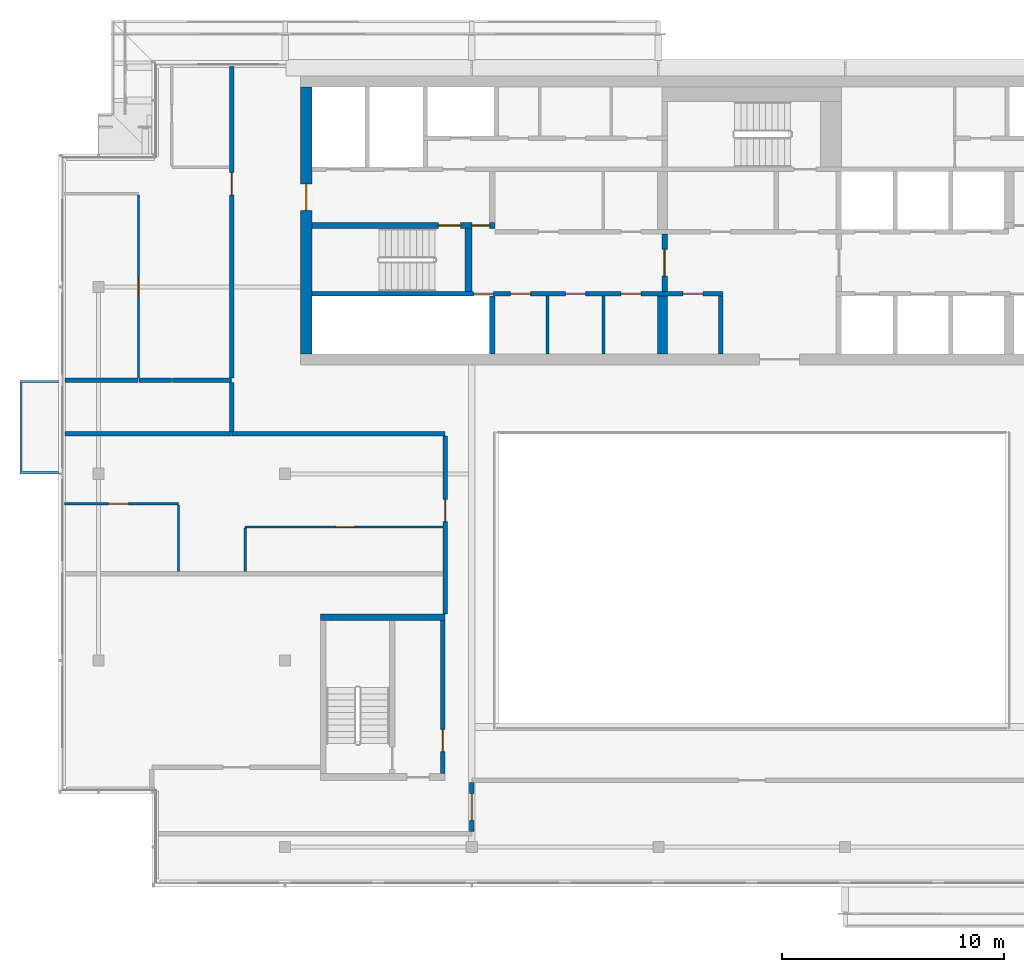
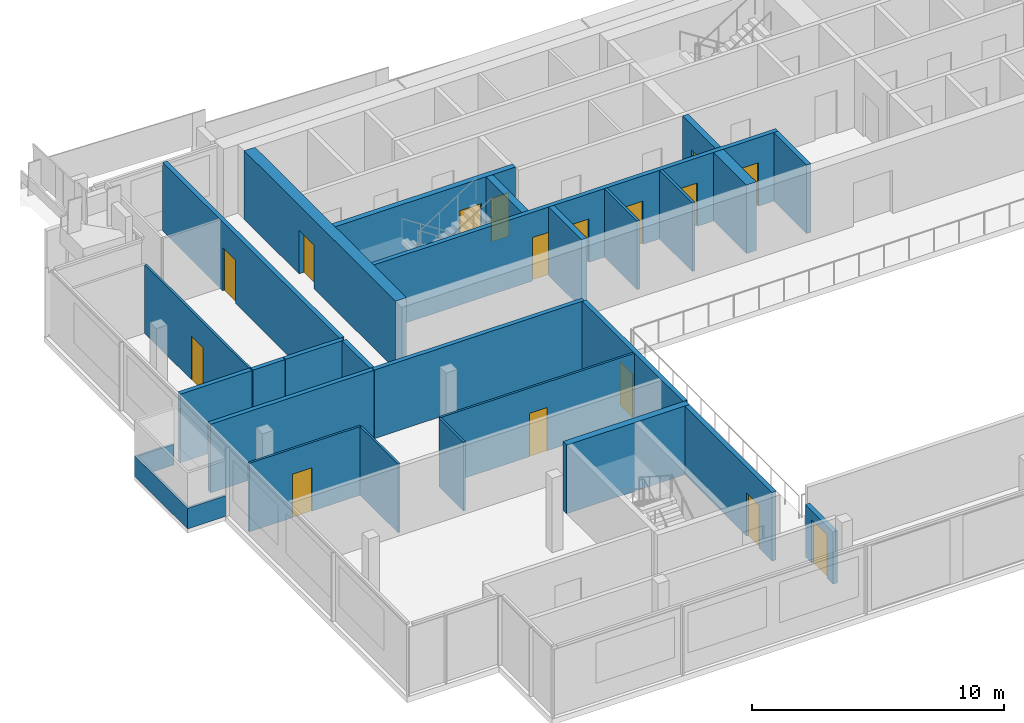
# One storey, part 11 of 21: 27 walls, 16 doors, 16 openings.
"""IFC4 building model written with IfcOpenShell, lengths in metres."""

from ifc_helpers import new_model, si_unit, direction, frame, frame_2d, origin, place, context, subcontext, project, spatial, polyline, rectangle, outline, extrude, material, layer, layer_set, type_object, element, fill, save


model = new_model("IFC4")

# Units and contexts
model_context = context("Model", 3, precision=1e-05, world=origin(), true_north=direction((0.0, 1.0)))
body_context = subcontext(model_context, "Body", "Model", "MODEL_VIEW")
ifc_project = project(units=[si_unit("LENGTHUNIT", "METRE"), si_unit("AREAUNIT", "SQUARE_METRE"), si_unit("VOLUMEUNIT", "CUBIC_METRE"), si_unit("PLANEANGLEUNIT", "RADIAN"), si_unit("MASSUNIT", "GRAM", prefix="KILO")], contexts=[model_context])

# Site, building, storey
site_placement = place(None, origin())
site = spatial("IfcSite", under=ifc_project, at=site_placement, CompositionType="ELEMENT")
building_placement = place(site_placement, origin())
building = spatial("IfcBuilding", under=site, at=building_placement, Name="Saffron Gate Tower", CompositionType="ELEMENT")
storey_placement = place(building_placement, frame((0.0, 0.0, 288.75)))
storey = spatial("IfcBuildingStorey", under=building, at=storey_placement, Name="L70", CompositionType="ELEMENT", Elevation=288.75)

# Wall
ifc_material_1 = material(Name="Gypsum board partition on steel studs", Category="steel")
ifc_layer_1 = layer(ifc_material_1, 0.199951171875)
ifc_layer_set_1 = layer_set([ifc_layer_1], Name="CW10 Core partition 200")
wall_type_1 = type_object("IfcWallType", Name="CW10 Core partition 200", PredefinedType="PARTITIONING", material=ifc_layer_set_1)
wall_1_placement = place(storey_placement, frame((86.199951171875, 62.39990234375, 0.0), z_axis=(0.0, 0.0, 1.0), x_axis=(0.0, 1.0, 0.0)))
element("IfcWall", 1, at=wall_1_placement, inside=storey, type_object=wall_type_1, Name="Wall CW10-L70-9", PredefinedType="PARTITIONING", context=body_context, shape_type="SweptSolid", body=[
    extrude(rectangle(XDim=2.60009765625, YDim=0.199951171875, at=frame_2d((1.300048828125, 0.0))), origin(), (0.0, 0.0, 1.0), 3.320068359375),
])

# Wall, opening, door
wall_2_placement = place(storey_placement, frame((73.699951171875, 43.5, 0.0), z_axis=(0.0, 0.0, 1.0), x_axis=(0.0, 1.0, 0.0)))
wall_2 = element("IfcWall", 2, at=wall_2_placement, inside=storey, type_object=wall_type_1, Name="Wall CW10-L70-D-4", PredefinedType="PARTITIONING", context=body_context, shape_type="SweptSolid", body=[
    extrude(rectangle(XDim=6.89990234375, YDim=0.199951171875, at=frame_2d((3.449951171875, 0.0))), origin(), (0.0, 0.0, 1.0), 3.320068359375),
])
opening_1_placement = place(wall_2_placement, frame((1.0, 0.0, 0.0)))
opening_1 = element("IfcOpeningElement", 3, at=opening_1_placement, cuts=wall_2, Name="Opening CR-19", PredefinedType="OPENING", context=body_context, shape_type="SweptSolid", body=[
    extrude(rectangle(XDim=1.0, YDim=2.10009765625, at=frame_2d((0.5, 1.050048828125))), frame((0.0, 0.10986328125, 0.0), z_axis=(0.0, -1.0, 0.0), x_axis=(1.0, 0.0, 0.0)), (0.0, 0.0, 1.0), 0.219970703125),
])
ifc_material_2 = material(Name="Steel fire door set", Category="steel")
door_type_1 = type_object("IfcDoorType", Name="CD4 Lobby door 1000x2100 EI 120", OperationType="NOTDEFINED", PredefinedType="DOOR", material=ifc_material_2)
door_1_placement = place(opening_1_placement, origin())
door_1 = element("IfcDoor", 4, at=door_1_placement, inside=storey, type_object=door_type_1, Name="DOOR CR-19", OperationType="SINGLE_SWING_RIGHT", OverallHeight=2.10009765625, OverallWidth=1.0, PredefinedType="DOOR", context=body_context, shape_type="SweptSolid", body=[
    extrude(rectangle(XDim=1.0, YDim=2.10009765625, at=frame_2d((0.5, 1.050048828125))), frame((0.0, 0.02490234375, 0.0), z_axis=(0.0, -1.0, 0.0), x_axis=(1.0, 0.0, 0.0)), (0.0, 0.0, 1.0), 0.050048828125),
])
fill(opening_1, door_1)

ifc_material_3 = material(Name="Concrete C50", Category="concrete")
ifc_layer_2 = layer(ifc_material_3, 0.5)
ifc_layer_set_2 = layer_set([ifc_layer_2], Name="CW22 RC core wall 500 C50")
wall_type_2 = type_object("IfcWallType", Name="CW22 RC core wall 500 C50", PredefinedType="SOLIDWALL", material=ifc_layer_set_2)
wall_3_placement = place(storey_placement, frame((67.550048828125, 62.39990234375, 0.0), z_axis=(0.0, 0.0, 1.0), x_axis=(0.0, 1.0, 0.0)))
wall_3 = element("IfcWall", 5, at=wall_3_placement, inside=storey, type_object=wall_type_2, Name="Wall CW22-L70-3", PredefinedType="SOLIDWALL", context=body_context, shape_type="SweptSolid", body=[
    extrude(rectangle(XDim=12.0, YDim=0.5, at=frame_2d((6.0, 0.0))), origin(), (0.0, 0.0, 1.0), 3.320068359375),
])
opening_2_placement = place(wall_3_placement, frame((6.449951171875, 0.0, 0.0)))
opening_2 = element("IfcOpeningElement", 6, at=opening_2_placement, cuts=wall_3, Name="Opening CR-10", PredefinedType="OPENING", context=body_context, shape_type="SweptSolid", body=[
    extrude(rectangle(XDim=1.199951171875, YDim=2.10009765625, at=frame_2d((0.60009765625, 1.050048828125))), frame((0.0, 0.260009765625, 0.0), z_axis=(0.0, -1.0, 0.0), x_axis=(1.0, 0.0, 0.0)), (0.0, 0.0, 1.0), 0.52001953125),
])
door_type_2 = type_object("IfcDoorType", Name="CD7 Core entrance door 1200x2100 EI 120", OperationType="NOTDEFINED", PredefinedType="DOOR", material=ifc_material_2)
door_2_placement = place(opening_2_placement, origin())
door_2 = element("IfcDoor", 7, at=door_2_placement, inside=storey, type_object=door_type_2, Name="DOOR CR-10", OperationType="SINGLE_SWING_LEFT", OverallHeight=2.10009765625, OverallWidth=1.199951171875, PredefinedType="DOOR", context=body_context, shape_type="SweptSolid", body=[
    extrude(rectangle(XDim=1.199951171875, YDim=2.10009765625, at=frame_2d((0.60009765625, 1.050048828125))), frame((0.0, 0.02490234375, 0.0), z_axis=(0.0, -1.0, 0.0), x_axis=(1.0, 0.0, 0.0)), (0.0, 0.0, 1.0), 0.050048828125),
])
fill(opening_2, door_2)

# Wall
ifc_layer_3 = layer(ifc_material_3, 0.25)
ifc_layer_set_3 = layer_set([ifc_layer_3], Name="CW23 RC core wall 250 C50")
wall_type_3 = type_object("IfcWallType", Name="CW23 RC core wall 250 C50", PredefinedType="SOLIDWALL", material=ifc_layer_set_3)
wall_4_placement = place(storey_placement, frame((75.925048828125, 62.39990234375, 0.0), z_axis=(0.0, 0.0, 1.0), x_axis=(0.0, 1.0, 0.0)))
element("IfcWall", 8, at=wall_4_placement, inside=storey, type_object=wall_type_3, Name="Wall CW23-L70-5", PredefinedType="SOLIDWALL", context=body_context, shape_type="SweptSolid", body=[
    extrude(rectangle(XDim=2.60009765625, YDim=0.25, at=frame_2d((1.300048828125, 0.0))), origin(), (0.0, 0.0, 1.0), 3.320068359375),
])

# Wall, opening, door
wall_5_placement = place(storey_placement, frame((83.675048828125, 65.199951171875, 0.0), z_axis=(0.0, 0.0, 1.0), x_axis=(0.0, 1.0, 0.0)))
wall_5 = element("IfcWall", 9, at=wall_5_placement, inside=storey, type_object=wall_type_3, Name="Wall CW23-L70-17", PredefinedType="SOLIDWALL", context=body_context, shape_type="SweptSolid", body=[
    extrude(rectangle(XDim=2.60009765625, YDim=0.25, at=frame_2d((1.300048828125, 0.0))), origin(), (0.0, 0.0, 1.0), 3.320068359375),
])
opening_3_placement = place(wall_5_placement, frame((0.699951171875, 0.0, 0.0)))
opening_3 = element("IfcOpeningElement", 10, at=opening_3_placement, cuts=wall_5, Name="Opening CR-07", PredefinedType="OPENING", context=body_context, shape_type="SweptSolid", body=[
    extrude(rectangle(XDim=1.199951171875, YDim=2.10009765625, at=frame_2d((0.60009765625, 1.050048828125))), frame((0.0, 0.135009765625, 0.0), z_axis=(0.0, -1.0, 0.0), x_axis=(1.0, 0.0, 0.0)), (0.0, 0.0, 1.0), 0.27001953125),
])
door_type_3 = type_object("IfcDoorType", Name="CD3 Lobby door 1200x2100 EI 120", OperationType="NOTDEFINED", PredefinedType="DOOR", material=ifc_material_2)
door_3_placement = place(opening_3_placement, origin())
door_3 = element("IfcDoor", 11, at=door_3_placement, inside=storey, type_object=door_type_3, Name="DOOR CR-07", OperationType="SINGLE_SWING_RIGHT", OverallHeight=2.10009765625, OverallWidth=1.199951171875, PredefinedType="DOOR", context=body_context, shape_type="SweptSolid", body=[
    extrude(rectangle(XDim=1.199951171875, YDim=2.10009765625, at=frame_2d((0.60009765625, 1.050048828125))), frame((0.0, 0.02490234375, 0.0), z_axis=(0.0, -1.0, 0.0), x_axis=(1.0, 0.0, 0.0)), (0.0, 0.0, 1.0), 0.050048828125),
])
fill(opening_3, door_3)

# Wall, openings, doors
wall_6_placement = place(storey_placement, frame((67.800048828125, 68.175048828125, 0.0), z_axis=(0.0, 0.0, 1.0), x_axis=(1.0, 0.0, 0.0)))
wall_6 = element("IfcWall", 12, at=wall_6_placement, inside=storey, type_object=wall_type_3, Name="Wall CW23-L70-28", PredefinedType="SOLIDWALL", context=body_context, shape_type="SweptSolid", body=[
    extrude(rectangle(XDim=8.25, YDim=0.25, at=frame_2d((4.125, 0.0))), origin(), (0.0, 0.0, 1.0), 3.320068359375),
])
opening_4_placement = place(wall_6_placement, frame((5.699951171875, 0.0, 0.0)))
opening_4 = element("IfcOpeningElement", 13, at=opening_4_placement, cuts=wall_6, Name="Opening CR-15", PredefinedType="OPENING", context=body_context, shape_type="SweptSolid", body=[
    extrude(rectangle(XDim=1.0, YDim=2.10009765625, at=frame_2d((0.5, 1.050048828125))), frame((0.0, 0.135009765625, 0.0), z_axis=(0.0, -1.0, 0.0), x_axis=(1.0, 0.0, 0.0)), (0.0, 0.0, 1.0), 0.27001953125),
])
opening_5_placement = place(wall_6_placement, frame((7.199951171875, 0.0, 0.0)))
opening_5 = element("IfcOpeningElement", 14, at=opening_5_placement, cuts=wall_6, Name="Opening CR-06", PredefinedType="OPENING", context=body_context, shape_type="SweptSolid", body=[
    extrude(rectangle(XDim=0.800048828125, YDim=2.10009765625, at=frame_2d((0.39990234375, 1.050048828125))), frame((0.0, 0.135009765625, 0.0), z_axis=(0.0, -1.0, 0.0), x_axis=(1.0, 0.0, 0.0)), (0.0, 0.0, 1.0), 0.27001953125),
])
door_type_4 = type_object("IfcDoorType", Name="CD5 Stair door 1000x2100 EI 120", OperationType="NOTDEFINED", PredefinedType="DOOR", material=ifc_material_2)
door_4_placement = place(opening_4_placement, origin())
door_4 = element("IfcDoor", 15, at=door_4_placement, inside=storey, type_object=door_type_4, Name="DOOR CR-15", OperationType="SINGLE_SWING_RIGHT", OverallHeight=2.10009765625, OverallWidth=1.0, PredefinedType="DOOR", context=body_context, shape_type="SweptSolid", body=[
    extrude(rectangle(XDim=1.0, YDim=2.10009765625, at=frame_2d((0.5, 1.050048828125))), frame((0.0, 0.02490234375, 0.0), z_axis=(0.0, -1.0, 0.0), x_axis=(1.0, 0.0, 0.0)), (0.0, 0.0, 1.0), 0.050048828125),
])
fill(opening_4, door_4)
door_type_5 = type_object("IfcDoorType", Name="CD6 Lobby door 800x2100 EI 120", OperationType="NOTDEFINED", PredefinedType="DOOR", material=ifc_material_2)
door_5_placement = place(opening_5_placement, origin())
door_5 = element("IfcDoor", 16, at=door_5_placement, inside=storey, type_object=door_type_5, Name="DOOR CR-06", OperationType="SINGLE_SWING_LEFT", OverallHeight=2.10009765625, OverallWidth=0.800048828125, PredefinedType="DOOR", context=body_context, shape_type="SweptSolid", body=[
    extrude(rectangle(XDim=0.800048828125, YDim=2.10009765625, at=frame_2d((0.39990234375, 1.050048828125))), frame((0.0, 0.02490234375, 0.0), z_axis=(0.0, -1.0, 0.0), x_axis=(1.0, 0.0, 0.0)), (0.0, 0.0, 1.0), 0.050048828125),
])
fill(opening_5, door_5)

# Wall
ifc_layer_4 = layer(ifc_material_3, 0.449951171875)
ifc_layer_set_4 = layer_set([ifc_layer_4], Name="CW24 RC core wall 450 C50")
wall_type_4 = type_object("IfcWallType", Name="CW24 RC core wall 450 C50", PredefinedType="SOLIDWALL", material=ifc_layer_set_4)
wall_7_placement = place(storey_placement, frame((83.574951171875, 62.39990234375, 0.0), z_axis=(0.0, 0.0, 1.0), x_axis=(0.0, 1.0, 0.0)))
element("IfcWall", 17, at=wall_7_placement, inside=storey, type_object=wall_type_4, Name="Wall CW24-L70-8", PredefinedType="SOLIDWALL", context=body_context, shape_type="SweptSolid", body=[
    extrude(rectangle(XDim=2.60009765625, YDim=0.449951171875, at=frame_2d((1.300048828125, 0.0))), origin(), (0.0, 0.0, 1.0), 3.320068359375),
])

# Wall, openings, doors
ifc_layer_5 = layer(ifc_material_3, 0.199951171875)
ifc_layer_set_5 = layer_set([ifc_layer_5], Name="CW25 RC core wall 200 C50")
wall_type_5 = type_object("IfcWallType", Name="CW25 RC core wall 200 C50", PredefinedType="SOLIDWALL", material=ifc_layer_set_5)
wall_8_placement = place(storey_placement, frame((67.800048828125, 65.10009765625, 0.0), z_axis=(0.0, 0.0, 1.0), x_axis=(1.0, 0.0, 0.0)))
wall_8 = element("IfcWall", 18, at=wall_8_placement, inside=storey, type_object=wall_type_5, Name="Wall CW25-L70-14", PredefinedType="SOLIDWALL", context=body_context, shape_type="SweptSolid", body=[
    extrude(rectangle(XDim=18.5, YDim=0.199951171875, at=frame_2d((9.25, 0.0))), origin(), (0.0, 0.0, 1.0), 3.320068359375),
])
opening_6_placement = place(wall_8_placement, frame((7.27001953125, 0.0, 0.0)))
opening_6 = element("IfcOpeningElement", 19, at=opening_6_placement, cuts=wall_8, Name="Opening CR-49", PredefinedType="OPENING", context=body_context, shape_type="SweptSolid", body=[
    extrude(rectangle(XDim=0.89990234375, YDim=2.10009765625, at=frame_2d((0.449951171875, 1.050048828125))), frame((0.0, 0.10986328125, 0.0), z_axis=(0.0, -1.0, 0.0), x_axis=(1.0, 0.0, 0.0)), (0.0, 0.0, 1.0), 0.219970703125),
])
opening_7_placement = place(wall_8_placement, frame((8.949951171875, 0.0, 0.0)))
opening_7 = element("IfcOpeningElement", 20, at=opening_7_placement, cuts=wall_8, Name="Opening CR-64", PredefinedType="OPENING", context=body_context, shape_type="SweptSolid", body=[
    extrude(rectangle(XDim=0.89990234375, YDim=2.10009765625, at=frame_2d((0.449951171875, 1.050048828125))), frame((0.0, 0.10986328125, 0.0), z_axis=(0.0, -1.0, 0.0), x_axis=(1.0, 0.0, 0.0)), (0.0, 0.0, 1.0), 0.219970703125),
])
opening_8_placement = place(wall_8_placement, frame((11.419921875, 0.0, 0.0)))
opening_8 = element("IfcOpeningElement", 21, at=opening_8_placement, cuts=wall_8, Name="Opening CR-65", PredefinedType="OPENING", context=body_context, shape_type="SweptSolid", body=[
    extrude(rectangle(XDim=0.89990234375, YDim=2.10009765625, at=frame_2d((0.449951171875, 1.050048828125))), frame((0.0, 0.10986328125, 0.0), z_axis=(0.0, -1.0, 0.0), x_axis=(1.0, 0.0, 0.0)), (0.0, 0.0, 1.0), 0.219970703125),
])
opening_9_placement = place(wall_8_placement, frame((13.919921875, 0.0, 0.0)))
opening_9 = element("IfcOpeningElement", 22, at=opening_9_placement, cuts=wall_8, Name="Opening CR-66", PredefinedType="OPENING", context=body_context, shape_type="SweptSolid", body=[
    extrude(rectangle(XDim=0.89990234375, YDim=2.10009765625, at=frame_2d((0.449951171875, 1.050048828125))), frame((0.0, 0.10986328125, 0.0), z_axis=(0.0, -1.0, 0.0), x_axis=(1.0, 0.0, 0.0)), (0.0, 0.0, 1.0), 0.219970703125),
])
opening_10_placement = place(wall_8_placement, frame((16.699951171875, 0.0, 0.0)))
opening_10 = element("IfcOpeningElement", 23, at=opening_10_placement, cuts=wall_8, Name="Opening CR-69", PredefinedType="OPENING", context=body_context, shape_type="SweptSolid", body=[
    extrude(rectangle(XDim=0.89990234375, YDim=2.10009765625, at=frame_2d((0.449951171875, 1.050048828125))), frame((0.0, 0.10986328125, 0.0), z_axis=(0.0, -1.0, 0.0), x_axis=(1.0, 0.0, 0.0)), (0.0, 0.0, 1.0), 0.219970703125),
])
door_type_6 = type_object("IfcDoorType", Name="CD2 Riser door 900x2100 EI 60", OperationType="NOTDEFINED", PredefinedType="DOOR", material=ifc_material_2)
door_6_placement = place(opening_6_placement, origin())
door_6 = element("IfcDoor", 24, at=door_6_placement, inside=storey, type_object=door_type_6, Name="DOOR CR-49", OperationType="SINGLE_SWING_LEFT", OverallHeight=2.10009765625, OverallWidth=0.89990234375, PredefinedType="DOOR", context=body_context, shape_type="SweptSolid", body=[
    extrude(rectangle(XDim=0.89990234375, YDim=2.10009765625, at=frame_2d((0.449951171875, 1.050048828125))), frame((0.0, 0.02490234375, 0.0), z_axis=(0.0, -1.0, 0.0), x_axis=(1.0, 0.0, 0.0)), (0.0, 0.0, 1.0), 0.050048828125),
])
fill(opening_6, door_6)
door_type_7 = type_object("IfcDoorType", Name="CD9 Room door 900x2100 EI 60", OperationType="NOTDEFINED", PredefinedType="DOOR", material=ifc_material_2)
door_7_placement = place(opening_7_placement, origin())
door_7 = element("IfcDoor", 25, at=door_7_placement, inside=storey, type_object=door_type_7, Name="DOOR CR-64", OperationType="SINGLE_SWING_RIGHT", OverallHeight=2.10009765625, OverallWidth=0.89990234375, PredefinedType="DOOR", context=body_context, shape_type="SweptSolid", body=[
    extrude(rectangle(XDim=0.89990234375, YDim=2.10009765625, at=frame_2d((0.449951171875, 1.050048828125))), frame((0.0, 0.02490234375, 0.0), z_axis=(0.0, -1.0, 0.0), x_axis=(1.0, 0.0, 0.0)), (0.0, 0.0, 1.0), 0.050048828125),
])
fill(opening_7, door_7)
door_8_placement = place(opening_8_placement, origin())
door_8 = element("IfcDoor", 26, at=door_8_placement, inside=storey, type_object=door_type_7, Name="DOOR CR-65", OperationType="SINGLE_SWING_RIGHT", OverallHeight=2.10009765625, OverallWidth=0.89990234375, PredefinedType="DOOR", context=body_context, shape_type="SweptSolid", body=[
    extrude(rectangle(XDim=0.89990234375, YDim=2.10009765625, at=frame_2d((0.449951171875, 1.050048828125))), frame((0.0, 0.02490234375, 0.0), z_axis=(0.0, -1.0, 0.0), x_axis=(1.0, 0.0, 0.0)), (0.0, 0.0, 1.0), 0.050048828125),
])
fill(opening_8, door_8)
door_9_placement = place(opening_9_placement, origin())
door_9 = element("IfcDoor", 27, at=door_9_placement, inside=storey, type_object=door_type_7, Name="DOOR CR-66", OperationType="SINGLE_SWING_RIGHT", OverallHeight=2.10009765625, OverallWidth=0.89990234375, PredefinedType="DOOR", context=body_context, shape_type="SweptSolid", body=[
    extrude(rectangle(XDim=0.89990234375, YDim=2.10009765625, at=frame_2d((0.449951171875, 1.050048828125))), frame((0.0, 0.02490234375, 0.0), z_axis=(0.0, -1.0, 0.0), x_axis=(1.0, 0.0, 0.0)), (0.0, 0.0, 1.0), 0.050048828125),
])
fill(opening_9, door_9)
door_10_placement = place(opening_10_placement, origin())
door_10 = element("IfcDoor", 28, at=door_10_placement, inside=storey, type_object=door_type_7, Name="DOOR CR-69", OperationType="SINGLE_SWING_RIGHT", OverallHeight=2.10009765625, OverallWidth=0.89990234375, PredefinedType="DOOR", context=body_context, shape_type="SweptSolid", body=[
    extrude(rectangle(XDim=0.89990234375, YDim=2.10009765625, at=frame_2d((0.449951171875, 1.050048828125))), frame((0.0, 0.02490234375, 0.0), z_axis=(0.0, -1.0, 0.0), x_axis=(1.0, 0.0, 0.0)), (0.0, 0.0, 1.0), 0.050048828125),
])
fill(opening_10, door_10)

# Walls
ifc_layer_6 = layer(ifc_material_3, 0.300048828125)
ifc_layer_set_6 = layer_set([ifc_layer_6], Name="CW26 RC core wall 300 C50")
wall_type_6 = type_object("IfcWallType", Name="CW26 RC core wall 300 C50", PredefinedType="SOLIDWALL", material=ifc_layer_set_6)
wall_9_placement = place(storey_placement, frame((74.85009765625, 65.199951171875, 0.0), z_axis=(0.0, 0.0, 1.0), x_axis=(0.0, 1.0, 0.0)))
element("IfcWall", 29, at=wall_9_placement, inside=storey, type_object=wall_type_6, Name="Wall CW26-L70-16", PredefinedType="SOLIDWALL", context=body_context, shape_type="SweptSolid", body=[
    extrude(rectangle(XDim=2.85009765625, YDim=0.300048828125, at=frame_2d((1.425048828125, 0.0))), origin(), (0.0, 0.0, 1.0), 3.320068359375),
])
wall_10_placement = place(storey_placement, frame((68.199951171875, 50.550048828125, 0.0), z_axis=(0.0, 0.0, 1.0), x_axis=(1.0, 0.0, 0.0)))
element("IfcWall", 30, at=wall_10_placement, inside=storey, type_object=wall_type_6, Name="Wall CW26-L70-D-5", PredefinedType="SOLIDWALL", context=body_context, shape_type="SweptSolid", body=[
    extrude(rectangle(XDim=5.60009765625, YDim=0.300048828125, at=frame_2d((2.800048828125, 0.0))), origin(), (0.0, 0.0, 1.0), 3.320068359375),
])
ifc_layer_7 = layer(ifc_material_1, 0.1201171875)
ifc_layer_set_7 = layer_set([ifc_layer_7], Name="CW8 Core partition 120")
wall_type_7 = type_object("IfcWallType", Name="CW8 Core partition 120", PredefinedType="PARTITIONING", material=ifc_layer_set_7)
for number, where, z_axis, x_axis, name in (
    (31, (78.409912109375, 62.39990234375, 0.0), (0.0, 0.0, 1.0), (0.0, 1.0, 0.0), "Wall CW8-L70-6"),
    (32, (80.929931640625, 62.39990234375, 0.0), (0.0, 0.0, 1.0), (0.0, 1.0, 0.0), "Wall CW8-L70-7"),
):
    element("IfcWall", number, at=place(storey_placement, frame(where, z_axis=z_axis, x_axis=x_axis)), inside=storey, type_object=wall_type_7, Name=name, PredefinedType="PARTITIONING", context=body_context, shape_type="SweptSolid", body=[
        extrude(rectangle(XDim=2.60009765625, YDim=0.1201171875, at=frame_2d((1.300048828125, 0.0))), origin(), (0.0, 0.0, 1.0), 3.320068359375),
    ])

# Wall, opening, door
ifc_material_4 = material(Name="Plasterboard on steel studs", Category="steel")
ifc_layer_8 = layer(ifc_material_4, 0.10009765625)
ifc_layer_set_8 = layer_set([ifc_layer_8], Name="PW1 Partition 100")
wall_type_8 = type_object("IfcWallType", Name="PW1 Partition 100", PredefinedType="PARTITIONING", material=ifc_layer_set_8)
wall_11_placement = place(storey_placement, frame((73.699951171875, 54.60009765625, 0.0), z_axis=(0.0, 0.0, 1.0), x_axis=(-1.0, 0.0, 0.0)))
wall_11 = element("IfcWall", 33, at=wall_11_placement, inside=storey, type_object=wall_type_8, Name="Partition E5-8", PredefinedType="PARTITIONING", context=body_context, shape_type="SweptSolid", body=[
    extrude(rectangle(XDim=8.89990234375, YDim=0.10009765625, at=frame_2d((4.449951171875, 0.0))), origin(), (0.0, 0.0, 1.0), 3.320068359375),
])
opening_11_placement = place(wall_11_placement, frame((4.0, 0.0, 0.0)))
opening_11 = element("IfcOpeningElement", 34, at=opening_11_placement, cuts=wall_11, Name="Opening E5-10", PredefinedType="OPENING", context=body_context, shape_type="SweptSolid", body=[
    extrude(rectangle(XDim=0.800048828125, YDim=2.10009765625, at=frame_2d((0.39990234375, 1.050048828125))), frame((0.0, 0.06005859375, 0.0), z_axis=(0.0, -1.0, 0.0), x_axis=(1.0, 0.0, 0.0)), (0.0, 0.0, 1.0), 0.1201171875),
])
ifc_material_5 = material(Name="Timber door set", Category="wood")
door_type_8 = type_object("IfcDoorType", Name="RD2 Bathroom door 800x2100", OperationType="NOTDEFINED", PredefinedType="DOOR", material=ifc_material_5)
door_11_placement = place(opening_11_placement, origin())
door_11 = element("IfcDoor", 35, at=door_11_placement, inside=storey, type_object=door_type_8, Name="Door E5-10", OperationType="SINGLE_SWING_LEFT", OverallHeight=2.10009765625, OverallWidth=0.800048828125, PredefinedType="DOOR", context=body_context, shape_type="SweptSolid", body=[
    extrude(rectangle(XDim=0.800048828125, YDim=2.10009765625, at=frame_2d((0.39990234375, 1.050048828125))), frame((0.0, 0.02490234375, 0.0), z_axis=(0.0, -1.0, 0.0), x_axis=(1.0, 0.0, 0.0)), (0.0, 0.0, 1.0), 0.050048828125),
])
fill(opening_11, door_11)

wall_12_placement = place(storey_placement, frame((61.800048828125, 55.64990234375, 0.0), z_axis=(0.0, 0.0, 1.0), x_axis=(-1.0, 0.0, 0.0)))
wall_12 = element("IfcWall", 36, at=wall_12_placement, inside=storey, type_object=wall_type_8, Name="Partition E5-9", PredefinedType="PARTITIONING", context=body_context, shape_type="SweptSolid", body=[
    extrude(rectangle(XDim=5.1201171875, YDim=0.10009765625, at=frame_2d((2.56005859375, 0.0))), origin(), (0.0, 0.0, 1.0), 3.320068359375),
])
opening_12_placement = place(wall_12_placement, frame((2.25, 0.0, 0.0)))
opening_12 = element("IfcOpeningElement", 37, at=opening_12_placement, cuts=wall_12, Name="Opening E5-5", PredefinedType="OPENING", context=body_context, shape_type="SweptSolid", body=[
    extrude(rectangle(XDim=0.89990234375, YDim=2.10009765625, at=frame_2d((0.449951171875, 1.050048828125))), frame((0.0, 0.06005859375, 0.0), z_axis=(0.0, -1.0, 0.0), x_axis=(1.0, 0.0, 0.0)), (0.0, 0.0, 1.0), 0.1201171875),
])
door_type_9 = type_object("IfcDoorType", Name="RD1 Room door 900x2100", OperationType="NOTDEFINED", PredefinedType="DOOR", material=ifc_material_5)
door_12_placement = place(opening_12_placement, origin())
door_12 = element("IfcDoor", 38, at=door_12_placement, inside=storey, type_object=door_type_9, Name="Door E5-5", OperationType="SINGLE_SWING_RIGHT", OverallHeight=2.10009765625, OverallWidth=0.89990234375, PredefinedType="DOOR", context=body_context, shape_type="SweptSolid", body=[
    extrude(rectangle(XDim=0.89990234375, YDim=2.10009765625, at=frame_2d((0.449951171875, 1.050048828125))), frame((0.0, 0.02490234375, 0.0), z_axis=(0.0, -1.0, 0.0), x_axis=(1.0, 0.0, 0.0)), (0.0, 0.0, 1.0), 0.050048828125),
])
fill(opening_12, door_12)

wall_13_placement = place(storey_placement, frame((60.0, 61.300048828125, 0.0), z_axis=(0.0, 0.0, 1.0), x_axis=(0.0, 1.0, 0.0)))
wall_13 = element("IfcWall", 39, at=wall_13_placement, inside=storey, type_object=wall_type_8, Name="Partition E5-29", PredefinedType="PARTITIONING", context=body_context, shape_type="SweptSolid", body=[
    extrude(rectangle(XDim=8.25, YDim=0.10009765625, at=frame_2d((4.125, 0.0))), origin(), (0.0, 0.0, 1.0), 3.320068359375),
])
opening_13_placement = place(wall_13_placement, frame((3.64990234375, 0.0, 0.0)))
opening_13 = element("IfcOpeningElement", 40, at=opening_13_placement, cuts=wall_13, Name="Opening E5-6", PredefinedType="OPENING", context=body_context, shape_type="SweptSolid", body=[
    extrude(rectangle(XDim=0.89990234375, YDim=2.10009765625, at=frame_2d((0.449951171875, 1.050048828125))), frame((0.0, 0.06005859375, 0.0), z_axis=(0.0, -1.0, 0.0), x_axis=(1.0, 0.0, 0.0)), (0.0, 0.0, 1.0), 0.1201171875),
])
door_13_placement = place(opening_13_placement, origin())
door_13 = element("IfcDoor", 41, at=door_13_placement, inside=storey, type_object=door_type_9, Name="Door E5-6", OperationType="SINGLE_SWING_LEFT", OverallHeight=2.10009765625, OverallWidth=0.89990234375, PredefinedType="DOOR", context=body_context, shape_type="SweptSolid", body=[
    extrude(rectangle(XDim=0.89990234375, YDim=2.10009765625, at=frame_2d((0.449951171875, 1.050048828125))), frame((0.0, 0.02490234375, 0.0), z_axis=(0.0, -1.0, 0.0), x_axis=(1.0, 0.0, 0.0)), (0.0, 0.0, 1.0), 0.050048828125),
])
fill(opening_13, door_13)

# Walls
wall_14_placement = place(storey_placement, frame((61.800048828125, 55.60009765625, 0.0), z_axis=(0.0, 0.0, 1.0), x_axis=(0.0, -1.0, 0.0)))
element("IfcWall", 42, at=wall_14_placement, inside=storey, type_object=wall_type_8, Name="Partition E5-32", PredefinedType="PARTITIONING", context=body_context, shape_type="SweptSolid", body=[
    extrude(rectangle(XDim=3.0, YDim=0.10009765625, at=frame_2d((1.5, 0.0))), origin(), (0.0, 0.0, 1.0), 3.320068359375),
])
wall_15_placement = place(storey_placement, frame((64.800048828125, 54.550048828125, 0.0), z_axis=(0.0, 0.0, 1.0), x_axis=(0.0, -1.0, 0.0)))
element("IfcWall", 43, at=wall_15_placement, inside=storey, type_object=wall_type_8, Name="Partition E5-35", PredefinedType="PARTITIONING", context=body_context, shape_type="SweptSolid", body=[
    extrude(rectangle(XDim=1.949951171875, YDim=0.10009765625, at=frame_2d((0.97509765625, 0.0))), origin(), (0.0, 0.0, 1.0), 3.320068359375),
])
ifc_material_6 = material(Name="Clay brick masonry, rendered", Category="masonry")
ifc_layer_9 = layer(ifc_material_6, 0.199951171875)
ifc_layer_set_9 = layer_set([ifc_layer_9], Name="PW3 Corridor wall 200")
wall_type_9 = type_object("IfcWallType", Name="PW3 Corridor wall 200", PredefinedType="PARTITIONING", material=ifc_layer_set_9)
wall_16_placement = place(storey_placement, frame((64.199951171875, 58.800048828125, 0.0), z_axis=(0.0, 0.0, 1.0), x_axis=(1.0, 0.0, 0.0)))
element("IfcWall", 44, at=wall_16_placement, inside=storey, type_object=wall_type_9, Name="Wall E5-12", PredefinedType="PARTITIONING", context=body_context, shape_type="SweptSolid", body=[
    extrude(rectangle(XDim=9.60009765625, YDim=0.199951171875, at=frame_2d((4.800048828125, 0.0))), origin(), (0.0, 0.0, 1.0), 3.320068359375),
])

# Wall, opening, door
wall_17_placement = place(storey_placement, frame((64.199951171875, 61.300048828125, 0.0), z_axis=(0.0, 0.0, 1.0), x_axis=(0.0, 1.0, 0.0)))
wall_17 = element("IfcWall", 45, at=wall_17_placement, inside=storey, type_object=wall_type_9, Name="Wall E5-33", PredefinedType="PARTITIONING", context=body_context, shape_type="SweptSolid", body=[
    extrude(rectangle(XDim=14.02001953125, YDim=0.199951171875, at=frame_2d((7.010009765625, 0.0))), origin(), (0.0, 0.0, 1.0), 3.320068359375),
])
opening_14_placement = place(wall_17_placement, frame((8.25, 0.0, 0.0)))
opening_14 = element("IfcOpeningElement", 46, at=opening_14_placement, cuts=wall_17, Name="Opening E5-2", PredefinedType="OPENING", context=body_context, shape_type="SweptSolid", body=[
    extrude(rectangle(XDim=1.0, YDim=2.10009765625, at=frame_2d((0.5, 1.050048828125))), frame((0.0, 0.10986328125, 0.0), z_axis=(0.0, -1.0, 0.0), x_axis=(1.0, 0.0, 0.0)), (0.0, 0.0, 1.0), 0.219970703125),
])
ifc_material_7 = material(Name="Timber fire door set", Category="wood")
door_type_10 = type_object("IfcDoorType", Name="FD1 Flat entry door 1000x2100", OperationType="NOTDEFINED", PredefinedType="DOOR", material=ifc_material_7)
door_14_placement = place(opening_14_placement, origin())
door_14 = element("IfcDoor", 47, at=door_14_placement, inside=storey, type_object=door_type_10, Name="Door E5-2", OperationType="SINGLE_SWING_LEFT", OverallHeight=2.10009765625, OverallWidth=1.0, PredefinedType="DOOR", context=body_context, shape_type="SweptSolid", body=[
    extrude(rectangle(XDim=1.0, YDim=2.10009765625, at=frame_2d((0.5, 1.050048828125))), frame((0.0, 0.02490234375, 0.0), z_axis=(0.0, -1.0, 0.0), x_axis=(1.0, 0.0, 0.0)), (0.0, 0.0, 1.0), 0.050048828125),
])
fill(opening_14, door_14)

wall_18_placement = place(storey_placement, frame((73.800048828125, 50.699951171875, 0.0), z_axis=(0.0, 0.0, 1.0), x_axis=(0.0, 1.0, 0.0)))
wall_18 = element("IfcWall", 48, at=wall_18_placement, inside=storey, type_object=wall_type_9, Name="Wall E5-36", PredefinedType="PARTITIONING", context=body_context, shape_type="SweptSolid", body=[
    extrude(rectangle(XDim=8.0, YDim=0.199951171875, at=frame_2d((4.0, 0.0))), origin(), (0.0, 0.0, 1.0), 3.320068359375),
])
opening_15_placement = place(wall_18_placement, frame((4.14990234375, 0.0, 0.0)))
opening_15 = element("IfcOpeningElement", 49, at=opening_15_placement, cuts=wall_18, Name="Opening E5-1", PredefinedType="OPENING", context=body_context, shape_type="SweptSolid", body=[
    extrude(rectangle(XDim=1.0, YDim=2.10009765625, at=frame_2d((0.5, 1.050048828125))), frame((0.0, 0.10986328125, 0.0), z_axis=(0.0, -1.0, 0.0), x_axis=(1.0, 0.0, 0.0)), (0.0, 0.0, 1.0), 0.219970703125),
])
door_15_placement = place(opening_15_placement, origin())
door_15 = element("IfcDoor", 50, at=door_15_placement, inside=storey, type_object=door_type_10, Name="Door E5-1", OperationType="SINGLE_SWING_RIGHT", OverallHeight=2.10009765625, OverallWidth=1.0, PredefinedType="DOOR", context=body_context, shape_type="SweptSolid", body=[
    extrude(rectangle(XDim=1.0, YDim=2.10009765625, at=frame_2d((0.5, 1.050048828125))), frame((0.0, 0.02490234375, 0.0), z_axis=(0.0, -1.0, 0.0), x_axis=(1.0, 0.0, 0.0)), (0.0, 0.0, 1.0), 0.050048828125),
])
fill(opening_15, door_15)

wall_19_placement = place(storey_placement, frame((75.0, 43.10009765625, 0.0), z_axis=(0.0, 0.0, 1.0), x_axis=(0.0, -1.0, 0.0)))
wall_19 = element("IfcWall", 51, at=wall_19_placement, inside=storey, type_object=wall_type_9, Name="Wall E5-37", PredefinedType="PARTITIONING", context=body_context, shape_type="SweptSolid", body=[
    extrude(rectangle(XDim=2.2001953125, YDim=0.199951171875, at=frame_2d((1.10009765625, 0.0))), origin(), (0.0, 0.0, 1.0), 2.530029296875),
])
opening_16_placement = place(wall_19_placement, frame((0.5, 0.0, 0.0)))
opening_16 = element("IfcOpeningElement", 52, at=opening_16_placement, cuts=wall_19, Name="Opening E5-18", PredefinedType="OPENING", context=body_context, shape_type="SweptSolid", body=[
    extrude(rectangle(XDim=1.199951171875, YDim=2.10009765625, at=frame_2d((0.60009765625, 1.050048828125))), frame((0.0, 0.10986328125, 0.0), z_axis=(0.0, -1.0, 0.0), x_axis=(1.0, 0.0, 0.0)), (0.0, 0.0, 1.0), 0.219970703125),
])
door_type_11 = type_object("IfcDoorType", Name="HD1 Hall door 1200x2100", OperationType="NOTDEFINED", PredefinedType="DOOR", material=ifc_material_5)
door_16_placement = place(opening_16_placement, origin())
door_16 = element("IfcDoor", 53, at=door_16_placement, inside=storey, type_object=door_type_11, Name="Door E5-18", OperationType="SINGLE_SWING_RIGHT", OverallHeight=2.10009765625, OverallWidth=1.199951171875, PredefinedType="DOOR", context=body_context, shape_type="SweptSolid", body=[
    extrude(rectangle(XDim=1.199951171875, YDim=2.10009765625, at=frame_2d((0.60009765625, 1.050048828125))), frame((0.0, 0.02490234375, 0.0), z_axis=(0.0, -1.0, 0.0), x_axis=(1.0, 0.0, 0.0)), (0.0, 0.0, 1.0), 0.050048828125),
])
fill(opening_16, door_16)

# Walls
ifc_layer_10 = layer(ifc_material_6, 0.199951171875)
ifc_layer_set_10 = layer_set([ifc_layer_10], Name="PW5 Room wall 200")
wall_type_10 = type_object("IfcWallType", Name="PW5 Room wall 200", PredefinedType="PARTITIONING", material=ifc_layer_set_10)
wall_20_placement = place(storey_placement, frame((56.699951171875, 58.800048828125, 0.0), z_axis=(0.0, 0.0, 1.0), x_axis=(1.0, 0.0, 0.0)))
element("IfcWall", 54, at=wall_20_placement, inside=storey, type_object=wall_type_10, Name="Wall E5-14", PredefinedType="PARTITIONING", context=body_context, shape_type="SweptSolid", body=[
    extrude(rectangle(XDim=7.47998046875, YDim=0.199951171875, at=frame_2d((3.739990234375, 0.0))), origin(), (0.0, 0.0, 1.0), 3.320068359375),
])
wall_21_placement = place(storey_placement, frame((56.699951171875, 61.199951171875, 0.0), z_axis=(0.0, 0.0, 1.0), x_axis=(1.0, 0.0, 0.0)))
element("IfcWall", 55, at=wall_21_placement, inside=storey, type_object=wall_type_10, Name="Wall E5-17", PredefinedType="PARTITIONING", context=body_context, shape_type="SweptSolid", body=[
    extrude(rectangle(XDim=3.280029296875, YDim=0.199951171875, at=frame_2d((1.64013671875, 0.0))), origin(), (0.0, 0.0, 1.0), 3.320068359375),
])
wall_22_placement = place(storey_placement, frame((60.02001953125, 61.199951171875, 0.0), z_axis=(0.0, 0.0, 1.0), x_axis=(1.0, 0.0, 0.0)))
element("IfcWall", 56, at=wall_22_placement, inside=storey, type_object=wall_type_10, Name="Wall E5-18", PredefinedType="PARTITIONING", context=body_context, shape_type="SweptSolid", body=[
    extrude(rectangle(XDim=1.4599609375, YDim=0.199951171875, at=frame_2d((0.72998046875, 0.0))), origin(), (0.0, 0.0, 1.0), 3.320068359375),
])
wall_23_placement = place(storey_placement, frame((61.52001953125, 61.199951171875, 0.0), z_axis=(0.0, 0.0, 1.0), x_axis=(1.0, 0.0, 0.0)))
element("IfcWall", 57, at=wall_23_placement, inside=storey, type_object=wall_type_10, Name="Wall E5-19", PredefinedType="PARTITIONING", context=body_context, shape_type="SweptSolid", body=[
    extrude(rectangle(XDim=2.659912109375, YDim=0.199951171875, at=frame_2d((1.330078125, 0.0))), origin(), (0.0, 0.0, 1.0), 3.320068359375),
])
wall_24_placement = place(storey_placement, frame((64.199951171875, 61.10009765625, 0.0), z_axis=(0.0, 0.0, 1.0), x_axis=(0.0, -1.0, 0.0)))
element("IfcWall", 58, at=wall_24_placement, inside=storey, type_object=wall_type_10, Name="Wall E5-34", PredefinedType="PARTITIONING", context=body_context, shape_type="SweptSolid", body=[
    extrude(rectangle(XDim=2.2001953125, YDim=0.199951171875, at=frame_2d((1.10009765625, 0.0))), origin(), (0.0, 0.0, 1.0), 3.320068359375),
])
ifc_material_8 = material(Name="Rendered insulated panel, white")
ifc_layer_11 = layer(ifc_material_8, 0.10009765625)
ifc_layer_set_11 = layer_set([ifc_layer_11], Name="WB3 box parapet white")
wall_type_11 = type_object("IfcWallType", Name="WB3 box parapet white", PredefinedType="SOLIDWALL", material=ifc_layer_set_11)
wall_25_placement = place(storey_placement, origin())
element("IfcWall", 59, at=wall_25_placement, inside=storey, type_object=wall_type_11, Name="WINDOW BOX parapet", PredefinedType="SOLIDWALL", context=body_context, shape_type="SweptSolid", body=[
    extrude(outline(polyline([(56.39990234375, 61.199951171875), (56.39990234375, 61.10009765625), (54.76708984375, 61.10009765625), (54.76708984375, 57.10009765625), (56.39990234375, 57.10009765625), (56.39990234375, 57.0), (54.6669921875, 57.0), (54.6669921875, 61.199951171875), (56.39990234375, 61.199951171875)])), origin(), (0.0, 0.0, 1.0), 1.0),
])

save(model, "model.ifc")
